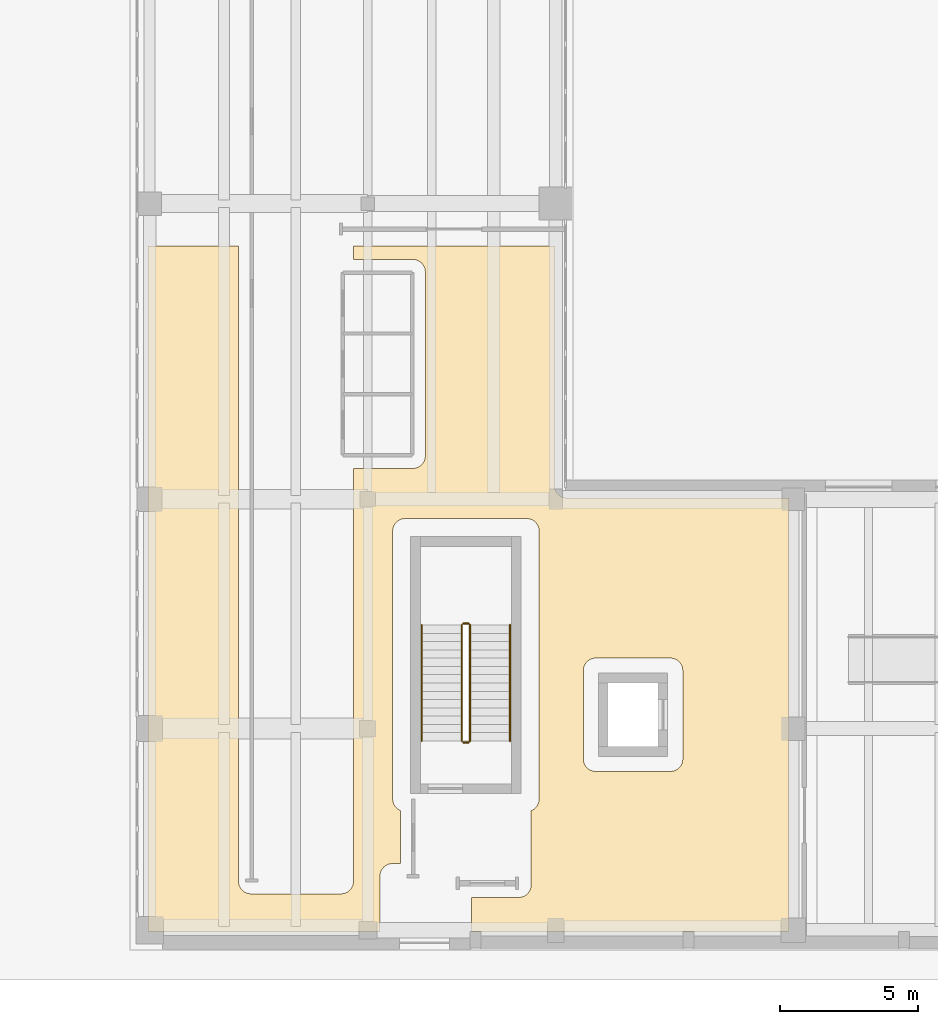
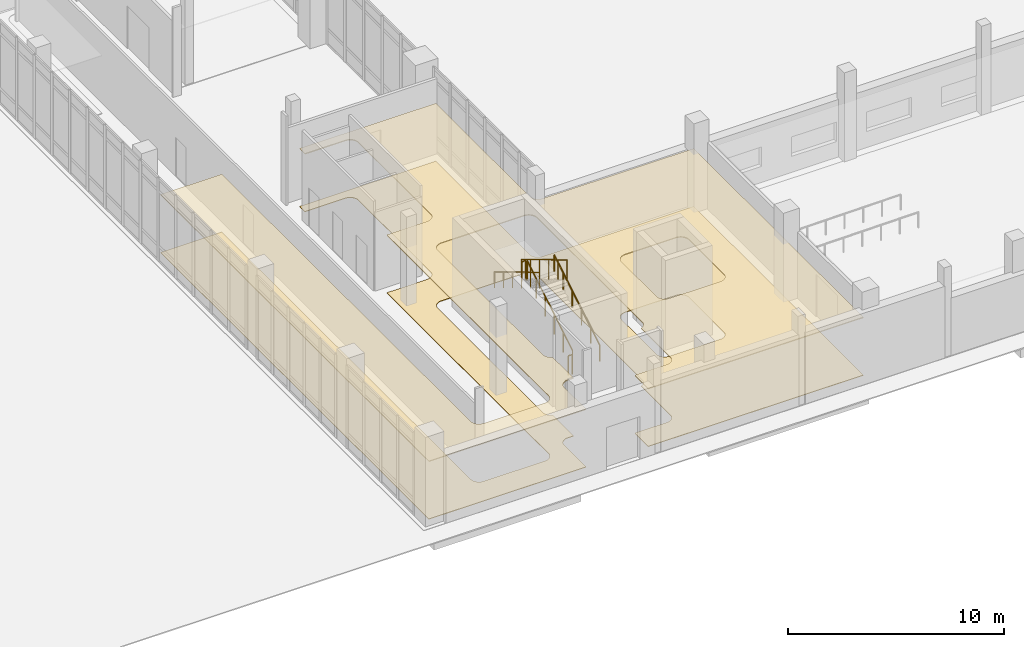
# One storey, part 62 of 74: 6 railings, 2 coverings.
"""IFC4 building model written with IfcOpenShell, lengths in metres."""

import ifcopenshell
import ifcopenshell.guid

model = None  # the IFC model being written
_history = None  # IfcOwnerHistory: only IFC2X3 demands one
_inside = {}  # id of a spatial element -> (the spatial element, [elements in it])
_under = {}  # id of a project, library or spatial element -> (it, [spatial elements below it])
_declared = {}  # id of a project -> (the project, [libraries it declares])
_typed = {}  # id of a type object -> (the type object, [elements of that type])
_made_of = {}  # id of a material, layer set ... -> (it, [elements and type objects made of it])


def new_model(schema):
    """Start an empty IFC model of exactly this schema.

    Asked for "IFC4X3", IfcOpenShell would pick the latest addendum, in which some entities
    have other attributes; the version numbers below select the first issue.
    IFC2X3 requires an IfcOwnerHistory on every rooted entity: one is made here for all.
    """
    global model, _history
    if schema == "IFC4X3":
        model = ifcopenshell.file(schema_version=(4, 3, 0, 0))
    else:
        model = ifcopenshell.file(schema=schema)
    _inside.clear()
    _under.clear()
    _declared.clear()
    _typed.clear()
    _made_of.clear()
    _history = None
    if model.schema == "IFC2X3":
        org = make("IfcOrganization", Name="unknown")
        user = make(
            "IfcPersonAndOrganization",
            ThePerson=make("IfcPerson", FamilyName="unknown"),
            TheOrganization=org,
        )
        app = make(
            "IfcApplication",
            ApplicationDeveloper=org,
            Version="unknown",
            ApplicationFullName="unknown",
            ApplicationIdentifier="unknown",
        )
        _history = make(
            "IfcOwnerHistory",
            OwningUser=user,
            OwningApplication=app,
            ChangeAction="ADDED",
            CreationDate=0,
        )
    return model


def make(cls, **values):
    """One entity of the class cls with the attributes given. An attribute that is None is left unset."""
    return model.create_entity(
        cls, **{name: value for name, value in values.items() if value is not None}
    )


def rooted(cls, **values):
    """An entity with a GlobalId (a new one), such as an element, a storey or a relation."""
    return make(cls, GlobalId=ifcopenshell.guid.new(), OwnerHistory=_history, **values)


def si_unit(unit_type, name, prefix=None):
    """IfcSIUnit, for example si_unit("LENGTHUNIT", "METRE", prefix="MILLI")."""
    return make("IfcSIUnit", UnitType=unit_type, Prefix=prefix, Name=name)


def assignment(units):
    """IfcUnitAssignment: the units of a project."""
    return None if units is None else make("IfcUnitAssignment", Units=units)


def point(xyz):
    """IfcCartesianPoint."""
    return None if xyz is None else make("IfcCartesianPoint", Coordinates=xyz)


def direction(xyz):
    """IfcDirection."""
    return None if xyz is None else make("IfcDirection", DirectionRatios=xyz)


def frame(location, z_axis=None, x_axis=None):
    """IfcAxis2Placement3D, a coordinate frame: its origin and axes. An axis left out is left unset."""
    return make(
        "IfcAxis2Placement3D",
        Location=point(location),
        Axis=direction(z_axis),
        RefDirection=direction(x_axis),
    )


def frame_2d(location, x_axis=None):
    """IfcAxis2Placement2D, a coordinate frame in the plane: its origin and x axis."""
    return make(
        "IfcAxis2Placement2D", Location=point(location), RefDirection=direction(x_axis)
    )


def origin():
    """The frame at (0, 0, 0) with its axes left unset."""
    return frame((0.0, 0.0, 0.0))


def origin_2d():
    """The frame at (0, 0) in the plane with its x axis left unset."""
    return frame_2d((0.0, 0.0))


def place(relative_to, where):
    """IfcLocalPlacement: puts the frame where relative to a parent placement (None: the world)."""
    return make(
        "IfcLocalPlacement", PlacementRelTo=relative_to, RelativePlacement=where
    )


def context(
    kind, dimensions, precision=None, world=None, true_north=None, identifier=None
):
    """IfcGeometricRepresentationContext, for example the 3D "Model" context."""
    return make(
        "IfcGeometricRepresentationContext",
        ContextIdentifier=identifier,
        ContextType=kind,
        CoordinateSpaceDimension=dimensions,
        Precision=precision,
        WorldCoordinateSystem=world,
        TrueNorth=true_north,
    )


def subcontext(parent, identifier, kind, view, scale=None):
    """IfcGeometricRepresentationSubContext, for example "Body" below "Model"."""
    return make(
        "IfcGeometricRepresentationSubContext",
        ContextIdentifier=identifier,
        ContextType=kind,
        ParentContext=parent,
        TargetScale=scale,
        TargetView=view,
    )


def project(units=None, contexts=None):
    """IfcProject with its units and contexts."""
    return rooted(
        "IfcProject",
        Name="project",
        RepresentationContexts=contexts,
        UnitsInContext=assignment(units),
    )


def spatial(cls, under=None, at=None, **own):
    """A site, building, storey or space (cls), placed at a placement, below another one or the project."""
    s = rooted(cls, ObjectPlacement=at, **own)
    if under is not None:
        _under.setdefault(under.id(), (under, []))[1].append(s)
    return s


def polyline(points):
    """IfcPolyline through the points."""
    return make("IfcPolyline", Points=[point(p) for p in points])


def profile(cls, at=None, kind="AREA", **sizes):
    """A parametric profile (cls). Its sizes go by their IFC names, for example OverallWidth=200.0."""
    return make(cls, ProfileType=kind, Position=at, **sizes)


def circle(**sizes):
    """IfcCircleProfileDef."""
    return profile("IfcCircleProfileDef", **sizes)


def outline(outer, holes=None, kind="AREA"):
    """IfcArbitraryClosedProfileDef: a profile drawn as a closed curve; with holes, ...WithVoids."""
    if holes is None:
        return make("IfcArbitraryClosedProfileDef", ProfileType=kind, OuterCurve=outer)
    return make(
        "IfcArbitraryProfileDefWithVoids",
        ProfileType=kind,
        OuterCurve=outer,
        InnerCurves=holes,
    )


def extrude(swept, where, along, depth):
    """IfcExtrudedAreaSolid: the profile swept, set in the frame where, extruded along a direction by depth."""
    return make(
        "IfcExtrudedAreaSolid",
        SweptArea=swept,
        Position=where,
        ExtrudedDirection=direction(along),
        Depth=depth,
    )


def shape(context_of_items, identifier, shape_type, items):
    """IfcShapeRepresentation: the items that make up one representation, for example the "Body"."""
    return make(
        "IfcShapeRepresentation",
        ContextOfItems=context_of_items,
        RepresentationIdentifier=identifier,
        RepresentationType=shape_type,
        Items=items,
    )


def material(Name=None, Category=None):
    """IfcMaterial."""
    return make("IfcMaterial", Name=Name, Category=Category)


def layer(
    of_material, thickness, ventilated=None, Name=None, Category=None, Priority=None
):
    """IfcMaterialLayer: one layer of a wall or slab, of a material (None: an air gap)."""
    return make(
        "IfcMaterialLayer",
        Material=of_material,
        LayerThickness=thickness,
        IsVentilated=ventilated,
        Name=Name,
        Category=Category,
        Priority=Priority,
    )


def layer_set(layers, Name=None):
    """IfcMaterialLayerSet."""
    return make("IfcMaterialLayerSet", MaterialLayers=layers, LayerSetName=Name)


def made_of(thing, what):
    """Note that an element or type object is made of a material, layer set ...; save() writes the relation."""
    if what is not None:
        _made_of.setdefault(what.id(), (what, []))[1].append(thing)
    return thing


def type_object(cls, material=None, **own):
    """A type object (cls), such as IfcWallType, which elements share."""
    return made_of(rooted(cls, **own), material)


def element(
    cls,
    number,
    at=None,
    inside=None,
    cuts=None,
    type_object=None,
    material=None,
    context=None,
    identifier="Body",
    shape_type=None,
    held_by="IfcProductDefinitionShape",
    body=None,
    shapes=None,
    **own,
):
    """One element of the class cls, such as IfcWall. Its Tag is "e" and its number.

    at: its placement. inside: the storey or other place that contains it. cuts: it is an
    opening in that element (IfcRelVoidsElement). A single representation is given by context,
    identifier, shape_type and body (its items); several are given by shapes. held_by: the class
    of the entity that holds the representations. save() writes the other relations.
    """
    e = rooted(cls, Tag="e%d" % number, ObjectPlacement=at, **own)
    if body is not None:
        shapes = [shape(context, identifier, shape_type, body)]
    if shapes is not None:
        e.Representation = make(held_by, Representations=shapes)
    if inside is not None:
        _inside.setdefault(inside.id(), (inside, []))[1].append(e)
    if cuts is not None:
        rooted(
            "IfcRelVoidsElement", RelatingBuildingElement=cuts, RelatedOpeningElement=e
        )
    if type_object is not None:
        _typed.setdefault(type_object.id(), (type_object, []))[1].append(e)
    return made_of(e, material)


def aggregate(whole, parts):
    """IfcRelAggregates: a whole, such as a stair, and the parts it consists of."""
    return rooted("IfcRelAggregates", RelatingObject=whole, RelatedObjects=parts)


def save(model, path):
    """Write the relations noted so far, then the file.

    IfcRelAggregates (storeys below a building ...), IfcRelContainedInSpatialStructure (elements
    in a storey), IfcRelDefinesByType, IfcRelAssociatesMaterial and IfcRelDeclares: one each for
    every whole, place, type object, material and project.
    """
    for whole, parts in _under.values():
        aggregate(whole, parts)
    for where, things in _inside.values():
        rooted(
            "IfcRelContainedInSpatialStructure",
            RelatedElements=things,
            RelatingStructure=where,
        )
    for kind, things in _typed.values():
        rooted("IfcRelDefinesByType", RelatedObjects=things, RelatingType=kind)
    for what, things in _made_of.values():
        rooted("IfcRelAssociatesMaterial", RelatedObjects=things, RelatingMaterial=what)
    for by, libraries in _declared.values():
        rooted("IfcRelDeclares", RelatingContext=by, RelatedDefinitions=libraries)
    model.write(path)


model = new_model("IFC4")

# Units and contexts
model_context = context("Model", 3, precision=1e-05, world=origin(), true_north=direction((0.0, 1.0)))
body_context = subcontext(model_context, "Body", "Model", "MODEL_VIEW")
ifc_project = project(units=[si_unit("LENGTHUNIT", "METRE"), si_unit("AREAUNIT", "SQUARE_METRE"), si_unit("VOLUMEUNIT", "CUBIC_METRE"), si_unit("PLANEANGLEUNIT", "RADIAN"), si_unit("MASSUNIT", "GRAM", prefix="KILO")], contexts=[model_context])

# Site, building, storey
site_placement = place(None, origin())
site = spatial("IfcSite", under=ifc_project, at=site_placement, CompositionType="ELEMENT")
building_placement = place(site_placement, origin())
building = spatial("IfcBuilding", under=site, at=building_placement, Name="Soyqirgoq Riverine Aquarium", CompositionType="ELEMENT")
storey_placement = place(building_placement, origin())
storey = spatial("IfcBuildingStorey", under=building, at=storey_placement, Name="L01", CompositionType="ELEMENT", Elevation=0.0)

# Covering
ifc_material_1 = material(Name="Perforated mineral-fibre acoustic ceiling", Category="gypsum")
ifc_layer_1 = layer(ifc_material_1, 0.050048828125)
ifc_layer_set_1 = layer_set([ifc_layer_1], Name="Perforated mineral-fibre acoustic ceiling")
covering_type_1 = type_object("IfcCoveringType", Name="AcousticBaffleCeiling_50", PredefinedType="CEILING", material=ifc_layer_set_1)
covering_1_placement = place(storey_placement, frame((0.0, 0.0, 3.25)))
element("IfcCovering", 1, at=covering_1_placement, inside=storey, type_object=covering_type_1, Name="Audio-Visual Control Room Suspended Ceiling", PredefinedType="CEILING", context=body_context, shape_type="SweptSolid", body=[
    extrude(outline(polyline([(124.22998046875, 18.919921875), (124.27392578125, 18.922119140625), (124.318115234375, 18.928955078125), (124.361083984375, 18.93896484375), (124.402099609375, 18.9541015625), (124.44189453125, 18.972900390625), (124.47998046875, 18.99609375), (124.514892578125, 19.02197265625), (124.548095703125, 19.052001953125), (124.577880859375, 19.0849609375), (124.60400390625, 19.1201171875), (124.626953125, 19.157958984375), (124.64599609375, 19.197998046875), (124.660888671875, 19.239013671875), (124.6708984375, 19.281982421875), (124.677978515625, 19.325927734375), (124.679931640625, 19.3701171875), (124.679931640625, 26.030029296875), (124.677978515625, 26.073974609375), (124.6708984375, 26.117919921875), (124.660888671875, 26.160888671875), (124.64599609375, 26.201904296875), (124.626953125, 26.241943359375), (124.60400390625, 26.280029296875), (124.577880859375, 26.31494140625), (124.548095703125, 26.347900390625), (124.514892578125, 26.3779296875), (124.47998046875, 26.404052734375), (124.44189453125, 26.427001953125), (124.402099609375, 26.446044921875), (124.361083984375, 26.4609375), (124.318115234375, 26.470947265625), (124.27392578125, 26.47802734375), (124.22998046875, 26.47998046875), (122.080078125, 26.47998046875), (122.080078125, 26.969970703125), (129.35009765625, 26.969970703125), (129.35009765625, 18.300048828125), (129.35205078125, 18.256103515625), (129.35888671875, 18.2119140625), (129.368896484375, 18.1689453125), (129.384033203125, 18.1279296875), (129.403076171875, 18.087890625), (129.426025390625, 18.050048828125), (129.451904296875, 18.014892578125), (129.48193359375, 17.98193359375), (129.514892578125, 17.951904296875), (129.550048828125, 17.926025390625), (129.587890625, 17.903076171875), (129.6279296875, 17.884033203125), (129.6689453125, 17.868896484375), (129.7119140625, 17.85888671875), (129.756103515625, 17.85205078125), (129.800048828125, 17.85009765625), (137.85009765625, 17.85009765625), (137.85009765625, 2.14990234375), (126.360107421875, 2.14990234375), (126.360107421875, 3.389892578125), (128.06005859375, 3.389892578125), (128.10400390625, 3.39208984375), (128.14794921875, 3.39892578125), (128.19091796875, 3.408935546875), (128.23193359375, 3.424072265625), (128.27197265625, 3.443115234375), (128.31005859375, 3.466064453125), (128.344970703125, 3.491943359375), (128.3779296875, 3.52197265625), (128.407958984375, 3.554931640625), (128.43408203125, 3.590087890625), (128.45703125, 3.6279296875), (128.47607421875, 3.66796875), (128.490966796875, 3.708984375), (128.5009765625, 3.751953125), (128.508056640625, 3.7958984375), (128.510009765625, 3.840087890625), (128.510009765625, 6.530029296875), (128.52197265625, 6.533935546875), (128.56201171875, 6.552978515625), (128.60009765625, 6.575927734375), (128.635009765625, 6.60205078125), (128.66796875, 6.632080078125), (128.697998046875, 6.6650390625), (128.72412109375, 6.699951171875), (128.7470703125, 6.738037109375), (128.76611328125, 6.778076171875), (128.781005859375, 6.819091796875), (128.791015625, 6.862060546875), (128.798095703125, 6.906005859375), (128.800048828125, 6.949951171875), (128.800048828125, 16.64990234375), (128.798095703125, 16.694091796875), (128.791015625, 16.738037109375), (128.781005859375, 16.781005859375), (128.76611328125, 16.822021484375), (128.7470703125, 16.862060546875), (128.72412109375, 16.89990234375), (128.697998046875, 16.93505859375), (128.66796875, 16.968017578125), (128.635009765625, 16.998046875), (128.60009765625, 17.02392578125), (128.56201171875, 17.047119140625), (128.52197265625, 17.06591796875), (128.48095703125, 17.0810546875), (128.43798828125, 17.091064453125), (128.39404296875, 17.097900390625), (128.35009765625, 17.10009765625), (123.949951171875, 17.10009765625), (123.906005859375, 17.097900390625), (123.862060546875, 17.091064453125), (123.819091796875, 17.0810546875), (123.778076171875, 17.06591796875), (123.738037109375, 17.047119140625), (123.699951171875, 17.02392578125), (123.6650390625, 16.998046875), (123.632080078125, 16.968017578125), (123.60205078125, 16.93505859375), (123.575927734375, 16.89990234375), (123.552978515625, 16.862060546875), (123.533935546875, 16.822021484375), (123.51904296875, 16.781005859375), (123.509033203125, 16.738037109375), (123.501953125, 16.694091796875), (123.5, 16.64990234375), (123.5, 6.949951171875), (123.501953125, 6.906005859375), (123.509033203125, 6.862060546875), (123.51904296875, 6.819091796875), (123.533935546875, 6.778076171875), (123.552978515625, 6.738037109375), (123.575927734375, 6.699951171875), (123.60205078125, 6.6650390625), (123.632080078125, 6.632080078125), (123.6650390625, 6.60205078125), (123.699951171875, 6.575927734375), (123.738037109375, 6.552978515625), (123.778076171875, 6.533935546875), (123.7900390625, 6.530029296875), (123.7900390625, 4.610107421875), (123.489990234375, 4.610107421875), (123.446044921875, 4.60791015625), (123.402099609375, 4.60107421875), (123.35888671875, 4.591064453125), (123.318115234375, 4.575927734375), (123.278076171875, 4.556884765625), (123.239990234375, 4.533935546875), (123.205078125, 4.508056640625), (123.172119140625, 4.47802734375), (123.14208984375, 4.445068359375), (123.115966796875, 4.409912109375), (123.093017578125, 4.3720703125), (123.073974609375, 4.33203125), (123.05908203125, 4.291015625), (123.049072265625, 4.248046875), (123.0419921875, 4.2041015625), (123.0400390625, 4.159912109375), (123.0400390625, 2.14990234375), (114.64990234375, 2.14990234375), (114.64990234375, 26.969970703125), (117.919921875, 26.969970703125), (117.919921875, 3.969970703125), (117.922119140625, 3.926025390625), (117.928955078125, 3.882080078125), (117.93896484375, 3.839111328125), (117.9541015625, 3.798095703125), (117.972900390625, 3.758056640625), (117.99609375, 3.719970703125), (118.02197265625, 3.68505859375), (118.052001953125, 3.652099609375), (118.0849609375, 3.6220703125), (118.1201171875, 3.595947265625), (118.157958984375, 3.572998046875), (118.197998046875, 3.553955078125), (118.239013671875, 3.5390625), (118.281982421875, 3.529052734375), (118.325927734375, 3.52197265625), (118.3701171875, 3.52001953125), (121.6298828125, 3.52001953125), (121.674072265625, 3.52197265625), (121.718017578125, 3.529052734375), (121.760986328125, 3.5390625), (121.802001953125, 3.553955078125), (121.842041015625, 3.572998046875), (121.8798828125, 3.595947265625), (121.9150390625, 3.6220703125), (121.947998046875, 3.652099609375), (121.97802734375, 3.68505859375), (122.00390625, 3.719970703125), (122.027099609375, 3.758056640625), (122.0458984375, 3.798095703125), (122.06103515625, 3.839111328125), (122.071044921875, 3.882080078125), (122.077880859375, 3.926025390625), (122.080078125, 3.969970703125), (122.080078125, 18.919921875), (124.22998046875, 18.919921875)]), holes=[polyline([(134.0, 8.39990234375), (133.998046875, 8.35595703125), (133.990966796875, 8.31201171875), (133.98095703125, 8.26904296875), (133.966064453125, 8.22802734375), (133.947021484375, 8.18798828125), (133.924072265625, 8.14990234375), (133.89794921875, 8.114990234375), (133.867919921875, 8.08203125), (133.8349609375, 8.052001953125), (133.800048828125, 8.02587890625), (133.761962890625, 8.0029296875), (133.721923828125, 7.98388671875), (133.680908203125, 7.968994140625), (133.637939453125, 7.958984375), (133.593994140625, 7.951904296875), (133.550048828125, 7.949951171875), (130.85009765625, 7.949951171875), (130.805908203125, 7.951904296875), (130.761962890625, 7.958984375), (130.718994140625, 7.968994140625), (130.677978515625, 7.98388671875), (130.637939453125, 8.0029296875), (130.60009765625, 8.02587890625), (130.56494140625, 8.052001953125), (130.531982421875, 8.08203125), (130.501953125, 8.114990234375), (130.47607421875, 8.14990234375), (130.452880859375, 8.18798828125), (130.43408203125, 8.22802734375), (130.4189453125, 8.26904296875), (130.408935546875, 8.31201171875), (130.402099609375, 8.35595703125), (130.39990234375, 8.39990234375), (130.39990234375, 11.60009765625), (130.402099609375, 11.64404296875), (130.408935546875, 11.68798828125), (130.4189453125, 11.73095703125), (130.43408203125, 11.77197265625), (130.452880859375, 11.81201171875), (130.47607421875, 11.85009765625), (130.501953125, 11.885009765625), (130.531982421875, 11.91796875), (130.56494140625, 11.947998046875), (130.60009765625, 11.97412109375), (130.637939453125, 11.9970703125), (130.677978515625, 12.01611328125), (130.718994140625, 12.031005859375), (130.761962890625, 12.041015625), (130.805908203125, 12.048095703125), (130.85009765625, 12.050048828125), (133.550048828125, 12.050048828125), (133.593994140625, 12.048095703125), (133.637939453125, 12.041015625), (133.680908203125, 12.031005859375), (133.721923828125, 12.01611328125), (133.761962890625, 11.9970703125), (133.800048828125, 11.97412109375), (133.8349609375, 11.947998046875), (133.867919921875, 11.91796875), (133.89794921875, 11.885009765625), (133.924072265625, 11.85009765625), (133.947021484375, 11.81201171875), (133.966064453125, 11.77197265625), (133.98095703125, 11.73095703125), (133.990966796875, 11.68798828125), (133.998046875, 11.64404296875), (134.0, 11.60009765625), (134.0, 8.39990234375)])]), origin(), (0.0, 0.0, 1.0), 0.050048828125),
])

# Railings
ifc_material_2 = material(Name="Brushed stainless steel 316L tubular handrail", Category="steel")
railing_type_1 = type_object("IfcRailingType", Name="StairPitchHandrail_920", PredefinedType="HANDRAIL", material=ifc_material_2)
railing_1_placement = place(storey_placement, frame((127.75, 9.050048828125, 0.179931640625)))
element("IfcRailing", 2, at=railing_1_placement, inside=storey, type_object=railing_type_1, Name="L01 ST-7 stair handrail 1", PredefinedType="HANDRAIL", context=body_context, shape_type="SweptSolid", body=[
    extrude(circle(Radius=0.02392578125, at=origin_2d()), frame((0.0, 0.0, 0.89990234375), z_axis=(0.0, 0.857488527567, 0.514503085598), x_axis=(-1.0, 0.0, 0.0)), (0.0, 0.0, 1.0), 4.89794921875),
    extrude(circle(Radius=0.02099609375, at=origin_2d()), origin(), (0.0, 0.0, 1.0), 0.875732421875),
    extrude(circle(Radius=0.02099609375, at=origin_2d()), frame((0.0, 0.840087890625, 0.50390625)), (0.0, 0.0, 1.0), 0.875732421875),
    extrude(circle(Radius=0.02099609375, at=origin_2d()), frame((0.0, 1.679931640625, 1.008056640625)), (0.0, 0.0, 1.0), 0.875732421875),
    extrude(circle(Radius=0.02099609375, at=origin_2d()), frame((0.0, 2.52001953125, 1.511962890625)), (0.0, 0.0, 1.0), 0.875732421875),
    extrude(circle(Radius=0.02099609375, at=origin_2d()), frame((0.0, 3.35986328125, 2.01611328125)), (0.0, 0.0, 1.0), 0.875732421875),
    extrude(circle(Radius=0.02099609375, at=origin_2d()), frame((0.0, 4.199951171875, 2.52001953125)), (0.0, 0.0, 1.0), 0.875732421875),
])
railing_2_placement = place(storey_placement, frame((124.550048828125, 13.25, 2.8798828125)))
element("IfcRailing", 3, at=railing_2_placement, inside=storey, type_object=railing_type_1, Name="L01 ST-7 stair handrail 2", PredefinedType="HANDRAIL", context=body_context, shape_type="SweptSolid", body=[
    extrude(circle(Radius=0.02392578125, at=origin_2d()), frame((0.0, 0.0, 0.89990234375), z_axis=(0.0, -0.857488527567, 0.514503085598), x_axis=(1.0, 0.0, 0.0)), (0.0, 0.0, 1.0), 4.89794921875),
    extrude(circle(Radius=0.02099609375, at=origin_2d()), origin(), (0.0, 0.0, 1.0), 0.875732421875),
    extrude(circle(Radius=0.02099609375, at=origin_2d()), frame((0.0, -0.840087890625, 0.50390625)), (0.0, 0.0, 1.0), 0.875732421875),
    extrude(circle(Radius=0.02099609375, at=origin_2d()), frame((0.0, -1.679931640625, 1.008056640625)), (0.0, 0.0, 1.0), 0.875732421875),
    extrude(circle(Radius=0.02099609375, at=origin_2d()), frame((0.0, -2.52001953125, 1.511962890625)), (0.0, 0.0, 1.0), 0.875732421875),
    extrude(circle(Radius=0.02099609375, at=origin_2d()), frame((0.0, -3.35986328125, 2.01611328125)), (0.0, 0.0, 1.0), 0.875732421875),
    extrude(circle(Radius=0.02099609375, at=origin_2d()), frame((0.0, -4.199951171875, 2.52001953125)), (0.0, 0.0, 1.0), 0.875732421875),
])
ifc_material_3 = material(Name="Painted steel infill stair-well guardrail", Category="steel")
railing_type_2 = type_object("IfcRailingType", Name="StairWellGuard_1120", PredefinedType="GUARDRAIL", material=ifc_material_3)
railing_3_placement = place(storey_placement, frame((126.300048828125, 9.050048828125, 0.179931640625)))
element("IfcRailing", 4, at=railing_3_placement, inside=storey, type_object=railing_type_2, Name="L01 ST-7 stair guard 1", PredefinedType="GUARDRAIL", context=body_context, shape_type="SweptSolid", body=[
    extrude(circle(Radius=0.02392578125, at=origin_2d()), frame((0.0, 0.0, 1.09619140625), z_axis=(0.0, 0.857488527567, 0.514503085598), x_axis=(-1.0, 0.0, 0.0)), (0.0, 0.0, 1.0), 4.89794921875),
    extrude(circle(Radius=0.02099609375, at=origin_2d()), origin(), (0.0, 0.0, 1.0), 1.072021484375),
    extrude(circle(Radius=0.02099609375, at=origin_2d()), frame((0.0, 0.840087890625, 0.50390625)), (0.0, 0.0, 1.0), 1.072021484375),
    extrude(circle(Radius=0.02099609375, at=origin_2d()), frame((0.0, 1.679931640625, 1.008056640625)), (0.0, 0.0, 1.0), 1.072021484375),
    extrude(circle(Radius=0.02099609375, at=origin_2d()), frame((0.0, 2.52001953125, 1.511962890625)), (0.0, 0.0, 1.0), 1.072021484375),
    extrude(circle(Radius=0.02099609375, at=origin_2d()), frame((0.0, 3.35986328125, 2.01611328125)), (0.0, 0.0, 1.0), 1.072021484375),
    extrude(circle(Radius=0.02099609375, at=origin_2d()), frame((0.0, 4.199951171875, 2.52001953125)), (0.0, 0.0, 1.0), 1.072021484375),
])
railing_4_placement = place(storey_placement, frame((126.25, 13.300048828125, 2.699951171875)))
element("IfcRailing", 5, at=railing_4_placement, inside=storey, type_object=railing_type_2, Name="L01 ST-7 stair guard 2", PredefinedType="GUARDRAIL", context=body_context, shape_type="SweptSolid", body=[
    extrude(circle(Radius=0.02392578125, at=origin_2d()), frame((0.0, 0.0, 1.09619140625), z_axis=(-1.0, 0.0, 0.0), x_axis=(0.0, -1.0, 0.0)), (0.0, 0.0, 1.0), 0.199951171875),
    extrude(circle(Radius=0.02099609375, at=origin_2d()), origin(), (0.0, 0.0, 1.0), 1.072021484375),
    extrude(circle(Radius=0.02099609375, at=origin_2d()), frame((-0.199951171875, 0.0, 0.0)), (0.0, 0.0, 1.0), 1.072021484375),
])
railing_5_placement = place(storey_placement, frame((126.0, 13.25, 2.8798828125)))
element("IfcRailing", 6, at=railing_5_placement, inside=storey, type_object=railing_type_2, Name="L01 ST-7 stair guard 3", PredefinedType="GUARDRAIL", context=body_context, shape_type="SweptSolid", body=[
    extrude(circle(Radius=0.02392578125, at=origin_2d()), frame((0.0, 0.0, 1.09619140625), z_axis=(0.0, -0.857488527567, 0.514503085598), x_axis=(1.0, 0.0, 0.0)), (0.0, 0.0, 1.0), 4.89794921875),
    extrude(circle(Radius=0.02099609375, at=origin_2d()), origin(), (0.0, 0.0, 1.0), 1.072021484375),
    extrude(circle(Radius=0.02099609375, at=origin_2d()), frame((0.0, -0.840087890625, 0.50390625)), (0.0, 0.0, 1.0), 1.072021484375),
    extrude(circle(Radius=0.02099609375, at=origin_2d()), frame((0.0, -1.679931640625, 1.008056640625)), (0.0, 0.0, 1.0), 1.072021484375),
    extrude(circle(Radius=0.02099609375, at=origin_2d()), frame((0.0, -2.52001953125, 1.511962890625)), (0.0, 0.0, 1.0), 1.072021484375),
    extrude(circle(Radius=0.02099609375, at=origin_2d()), frame((0.0, -3.35986328125, 2.01611328125)), (0.0, 0.0, 1.0), 1.072021484375),
    extrude(circle(Radius=0.02099609375, at=origin_2d()), frame((0.0, -4.199951171875, 2.52001953125)), (0.0, 0.0, 1.0), 1.072021484375),
])
railing_6_placement = place(storey_placement, frame((126.25, 9.0, 0.0)))
element("IfcRailing", 7, at=railing_6_placement, inside=storey, type_object=railing_type_2, Name="L01 ST-7 stair guard 4", PredefinedType="GUARDRAIL", context=body_context, shape_type="SweptSolid", body=[
    extrude(circle(Radius=0.02392578125, at=origin_2d()), frame((0.0, 0.0, 1.09619140625), z_axis=(-1.0, 0.0, 0.0), x_axis=(0.0, -1.0, 0.0)), (0.0, 0.0, 1.0), 0.199951171875),
    extrude(circle(Radius=0.02099609375, at=origin_2d()), origin(), (0.0, 0.0, 1.0), 1.072021484375),
    extrude(circle(Radius=0.02099609375, at=origin_2d()), frame((-0.199951171875, 0.0, 0.0)), (0.0, 0.0, 1.0), 1.072021484375),
])

# Covering
ifc_material_4 = material(Name="Polished Chirchiq river-pebble terrazzo flooring", Category="concrete")
ifc_layer_2 = layer(ifc_material_4, 0.030029296875)
ifc_layer_set_2 = layer_set([ifc_layer_2], Name="Polished Chirchiq river-pebble terrazzo flooring")
covering_type_2 = type_object("IfcCoveringType", Name="TerrazzoFloorFinish_30", PredefinedType="FLOORING", material=ifc_layer_set_2)
covering_2_placement = place(storey_placement, origin())
element("IfcCovering", 8, at=covering_2_placement, inside=storey, type_object=covering_type_2, Name="Audio-Visual Control Room Floor Finish", PredefinedType="FLOORING", context=body_context, shape_type="SweptSolid", body=[
    extrude(outline(polyline([(124.22998046875, 18.919921875), (124.27392578125, 18.922119140625), (124.318115234375, 18.928955078125), (124.361083984375, 18.93896484375), (124.402099609375, 18.9541015625), (124.44189453125, 18.972900390625), (124.47998046875, 18.99609375), (124.514892578125, 19.02197265625), (124.548095703125, 19.052001953125), (124.577880859375, 19.0849609375), (124.60400390625, 19.1201171875), (124.626953125, 19.157958984375), (124.64599609375, 19.197998046875), (124.660888671875, 19.239013671875), (124.6708984375, 19.281982421875), (124.677978515625, 19.325927734375), (124.679931640625, 19.3701171875), (124.679931640625, 26.030029296875), (124.677978515625, 26.073974609375), (124.6708984375, 26.117919921875), (124.660888671875, 26.160888671875), (124.64599609375, 26.201904296875), (124.626953125, 26.241943359375), (124.60400390625, 26.280029296875), (124.577880859375, 26.31494140625), (124.548095703125, 26.347900390625), (124.514892578125, 26.3779296875), (124.47998046875, 26.404052734375), (124.44189453125, 26.427001953125), (124.402099609375, 26.446044921875), (124.361083984375, 26.4609375), (124.318115234375, 26.470947265625), (124.27392578125, 26.47802734375), (124.22998046875, 26.47998046875), (122.080078125, 26.47998046875), (122.080078125, 26.969970703125), (129.35009765625, 26.969970703125), (129.35009765625, 18.300048828125), (129.35205078125, 18.256103515625), (129.35888671875, 18.2119140625), (129.368896484375, 18.1689453125), (129.384033203125, 18.1279296875), (129.403076171875, 18.087890625), (129.426025390625, 18.050048828125), (129.451904296875, 18.014892578125), (129.48193359375, 17.98193359375), (129.514892578125, 17.951904296875), (129.550048828125, 17.926025390625), (129.587890625, 17.903076171875), (129.6279296875, 17.884033203125), (129.6689453125, 17.868896484375), (129.7119140625, 17.85888671875), (129.756103515625, 17.85205078125), (129.800048828125, 17.85009765625), (137.85009765625, 17.85009765625), (137.85009765625, 2.14990234375), (126.360107421875, 2.14990234375), (126.360107421875, 3.389892578125), (128.06005859375, 3.389892578125), (128.10400390625, 3.39208984375), (128.14794921875, 3.39892578125), (128.19091796875, 3.408935546875), (128.23193359375, 3.424072265625), (128.27197265625, 3.443115234375), (128.31005859375, 3.466064453125), (128.344970703125, 3.491943359375), (128.3779296875, 3.52197265625), (128.407958984375, 3.554931640625), (128.43408203125, 3.590087890625), (128.45703125, 3.6279296875), (128.47607421875, 3.66796875), (128.490966796875, 3.708984375), (128.5009765625, 3.751953125), (128.508056640625, 3.7958984375), (128.510009765625, 3.840087890625), (128.510009765625, 6.530029296875), (128.52197265625, 6.533935546875), (128.56201171875, 6.552978515625), (128.60009765625, 6.575927734375), (128.635009765625, 6.60205078125), (128.66796875, 6.632080078125), (128.697998046875, 6.6650390625), (128.72412109375, 6.699951171875), (128.7470703125, 6.738037109375), (128.76611328125, 6.778076171875), (128.781005859375, 6.819091796875), (128.791015625, 6.862060546875), (128.798095703125, 6.906005859375), (128.800048828125, 6.949951171875), (128.800048828125, 16.64990234375), (128.798095703125, 16.694091796875), (128.791015625, 16.738037109375), (128.781005859375, 16.781005859375), (128.76611328125, 16.822021484375), (128.7470703125, 16.862060546875), (128.72412109375, 16.89990234375), (128.697998046875, 16.93505859375), (128.66796875, 16.968017578125), (128.635009765625, 16.998046875), (128.60009765625, 17.02392578125), (128.56201171875, 17.047119140625), (128.52197265625, 17.06591796875), (128.48095703125, 17.0810546875), (128.43798828125, 17.091064453125), (128.39404296875, 17.097900390625), (128.35009765625, 17.10009765625), (123.949951171875, 17.10009765625), (123.906005859375, 17.097900390625), (123.862060546875, 17.091064453125), (123.819091796875, 17.0810546875), (123.778076171875, 17.06591796875), (123.738037109375, 17.047119140625), (123.699951171875, 17.02392578125), (123.6650390625, 16.998046875), (123.632080078125, 16.968017578125), (123.60205078125, 16.93505859375), (123.575927734375, 16.89990234375), (123.552978515625, 16.862060546875), (123.533935546875, 16.822021484375), (123.51904296875, 16.781005859375), (123.509033203125, 16.738037109375), (123.501953125, 16.694091796875), (123.5, 16.64990234375), (123.5, 6.949951171875), (123.501953125, 6.906005859375), (123.509033203125, 6.862060546875), (123.51904296875, 6.819091796875), (123.533935546875, 6.778076171875), (123.552978515625, 6.738037109375), (123.575927734375, 6.699951171875), (123.60205078125, 6.6650390625), (123.632080078125, 6.632080078125), (123.6650390625, 6.60205078125), (123.699951171875, 6.575927734375), (123.738037109375, 6.552978515625), (123.778076171875, 6.533935546875), (123.7900390625, 6.530029296875), (123.7900390625, 4.610107421875), (123.489990234375, 4.610107421875), (123.446044921875, 4.60791015625), (123.402099609375, 4.60107421875), (123.35888671875, 4.591064453125), (123.318115234375, 4.575927734375), (123.278076171875, 4.556884765625), (123.239990234375, 4.533935546875), (123.205078125, 4.508056640625), (123.172119140625, 4.47802734375), (123.14208984375, 4.445068359375), (123.115966796875, 4.409912109375), (123.093017578125, 4.3720703125), (123.073974609375, 4.33203125), (123.05908203125, 4.291015625), (123.049072265625, 4.248046875), (123.0419921875, 4.2041015625), (123.0400390625, 4.159912109375), (123.0400390625, 2.14990234375), (114.64990234375, 2.14990234375), (114.64990234375, 26.969970703125), (117.919921875, 26.969970703125), (117.919921875, 3.969970703125), (117.922119140625, 3.926025390625), (117.928955078125, 3.882080078125), (117.93896484375, 3.839111328125), (117.9541015625, 3.798095703125), (117.972900390625, 3.758056640625), (117.99609375, 3.719970703125), (118.02197265625, 3.68505859375), (118.052001953125, 3.652099609375), (118.0849609375, 3.6220703125), (118.1201171875, 3.595947265625), (118.157958984375, 3.572998046875), (118.197998046875, 3.553955078125), (118.239013671875, 3.5390625), (118.281982421875, 3.529052734375), (118.325927734375, 3.52197265625), (118.3701171875, 3.52001953125), (121.6298828125, 3.52001953125), (121.674072265625, 3.52197265625), (121.718017578125, 3.529052734375), (121.760986328125, 3.5390625), (121.802001953125, 3.553955078125), (121.842041015625, 3.572998046875), (121.8798828125, 3.595947265625), (121.9150390625, 3.6220703125), (121.947998046875, 3.652099609375), (121.97802734375, 3.68505859375), (122.00390625, 3.719970703125), (122.027099609375, 3.758056640625), (122.0458984375, 3.798095703125), (122.06103515625, 3.839111328125), (122.071044921875, 3.882080078125), (122.077880859375, 3.926025390625), (122.080078125, 3.969970703125), (122.080078125, 18.919921875), (124.22998046875, 18.919921875)]), holes=[polyline([(134.0, 8.39990234375), (133.998046875, 8.35595703125), (133.990966796875, 8.31201171875), (133.98095703125, 8.26904296875), (133.966064453125, 8.22802734375), (133.947021484375, 8.18798828125), (133.924072265625, 8.14990234375), (133.89794921875, 8.114990234375), (133.867919921875, 8.08203125), (133.8349609375, 8.052001953125), (133.800048828125, 8.02587890625), (133.761962890625, 8.0029296875), (133.721923828125, 7.98388671875), (133.680908203125, 7.968994140625), (133.637939453125, 7.958984375), (133.593994140625, 7.951904296875), (133.550048828125, 7.949951171875), (130.85009765625, 7.949951171875), (130.805908203125, 7.951904296875), (130.761962890625, 7.958984375), (130.718994140625, 7.968994140625), (130.677978515625, 7.98388671875), (130.637939453125, 8.0029296875), (130.60009765625, 8.02587890625), (130.56494140625, 8.052001953125), (130.531982421875, 8.08203125), (130.501953125, 8.114990234375), (130.47607421875, 8.14990234375), (130.452880859375, 8.18798828125), (130.43408203125, 8.22802734375), (130.4189453125, 8.26904296875), (130.408935546875, 8.31201171875), (130.402099609375, 8.35595703125), (130.39990234375, 8.39990234375), (130.39990234375, 11.60009765625), (130.402099609375, 11.64404296875), (130.408935546875, 11.68798828125), (130.4189453125, 11.73095703125), (130.43408203125, 11.77197265625), (130.452880859375, 11.81201171875), (130.47607421875, 11.85009765625), (130.501953125, 11.885009765625), (130.531982421875, 11.91796875), (130.56494140625, 11.947998046875), (130.60009765625, 11.97412109375), (130.637939453125, 11.9970703125), (130.677978515625, 12.01611328125), (130.718994140625, 12.031005859375), (130.761962890625, 12.041015625), (130.805908203125, 12.048095703125), (130.85009765625, 12.050048828125), (133.550048828125, 12.050048828125), (133.593994140625, 12.048095703125), (133.637939453125, 12.041015625), (133.680908203125, 12.031005859375), (133.721923828125, 12.01611328125), (133.761962890625, 11.9970703125), (133.800048828125, 11.97412109375), (133.8349609375, 11.947998046875), (133.867919921875, 11.91796875), (133.89794921875, 11.885009765625), (133.924072265625, 11.85009765625), (133.947021484375, 11.81201171875), (133.966064453125, 11.77197265625), (133.98095703125, 11.73095703125), (133.990966796875, 11.68798828125), (133.998046875, 11.64404296875), (134.0, 11.60009765625), (134.0, 8.39990234375)])]), origin(), (0.0, 0.0, 1.0), 0.030029296875),
])

save(model, "model.ifc")
